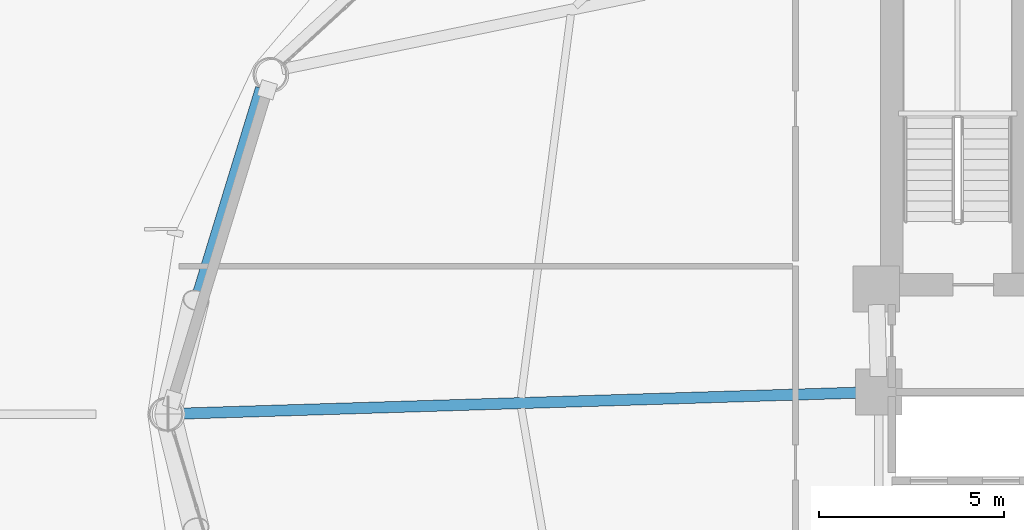
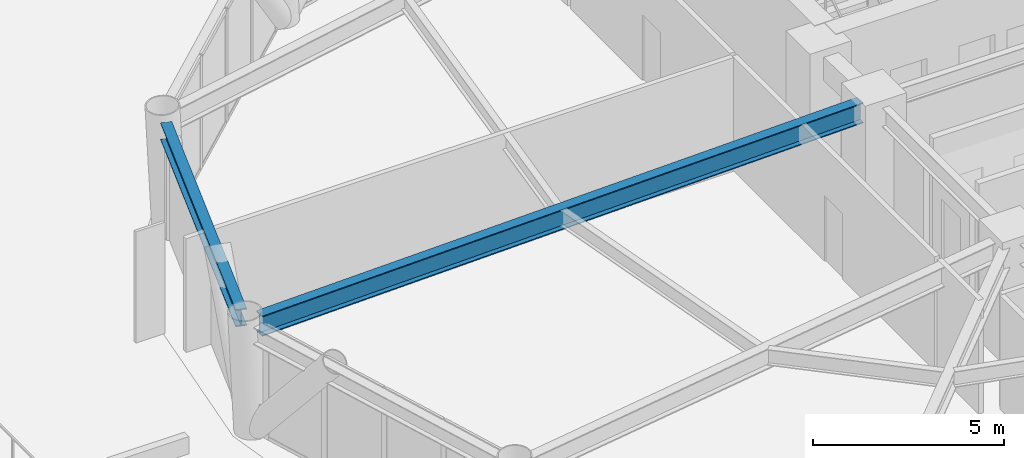
# One storey, part 8 of 24: 2 beams.
"""IFC4 building model written with IfcOpenShell, lengths in metres."""

from ifc_helpers import new_model, si_unit, direction, frame, origin, origin_2d, place, context, subcontext, project, spatial, i_section, extrude, material, material_profile, profile_set, type_object, element, save


model = new_model("IFC4")

# Units and contexts
model_context = context("Model", 3, precision=1e-05, world=origin(), true_north=direction((0.0, 1.0)))
body_context = subcontext(model_context, "Body", "Model", "MODEL_VIEW")
ifc_project = project(units=[si_unit("LENGTHUNIT", "METRE"), si_unit("AREAUNIT", "SQUARE_METRE"), si_unit("VOLUMEUNIT", "CUBIC_METRE"), si_unit("PLANEANGLEUNIT", "RADIAN"), si_unit("MASSUNIT", "GRAM", prefix="KILO")], contexts=[model_context])

# Site, building, storey
site_placement = place(None, origin())
site = spatial("IfcSite", under=ifc_project, at=site_placement, CompositionType="ELEMENT")
building_placement = place(site_placement, origin())
building = spatial("IfcBuilding", under=site, at=building_placement, Name="Varnakorn Sky Granary", CompositionType="ELEMENT")
storey_placement = place(building_placement, frame((0.0, 0.0, 27.60009765625)))
storey = spatial("IfcBuildingStorey", under=building, at=storey_placement, Name="L06", CompositionType="ELEMENT", Elevation=27.60009765625)

# Beams
ifc_material = material(Name="Steel S355JR", Category="steel")
ifc_material_profile_1 = material_profile(ifc_material, i_section(OverallWidth=0.300048828125, OverallDepth=0.64990234375, WebThickness=0.01611328125, FlangeThickness=0.031005859375, at=origin_2d()), Name="HE 650 B")
ifc_profile_set_1 = profile_set([ifc_material_profile_1], Name="Steel S355JR")
beam_type_1 = type_object("IfcBeamType", Name="BM-RAD-Z1", PredefinedType="BEAM", material=ifc_profile_set_1)
beam_1_placement = place(storey_placement, frame((-2.769775390625, 0.5869140625, 3.31494140625), z_axis=(-0.999521640891, -0.03092716268, 0.0), x_axis=(0.03092716268, -0.999521640891, 0.0)))
element("IfcBeam", 1, at=beam_1_placement, inside=storey, type_object=beam_type_1, Name="Radial Floor Girder RG07 L06", PredefinedType="BEAM", context=body_context, shape_type="SweptSolid", body=[
    extrude(i_section(OverallWidth=0.300048828125, OverallDepth=0.64990234375, WebThickness=0.01611328125, FlangeThickness=0.031005859375, at=origin_2d()), origin(), (0.0, 0.0, 1.0), 18.53515625),
])
ifc_material_profile_2 = material_profile(ifc_material, i_section(OverallWidth=0.300048828125, OverallDepth=0.550048828125, WebThickness=0.014892578125, FlangeThickness=0.029052734375, at=origin_2d()), Name="HE 550 B")
ifc_profile_set_2 = profile_set([ifc_material_profile_2], Name="Steel S355JR")
beam_type_2 = type_object("IfcBeamType", Name="BM-SPD-Z1", PredefinedType="SPANDREL", material=ifc_profile_set_2)
beam_2_placement = place(storey_placement, frame((-19.039306640625, 8.807861328125, 3.364990234375), z_axis=(-0.292941262757, -0.9561304391, 0.0), x_axis=(0.9561304391, -0.292941262757, 0.0)))
element("IfcBeam", 2, at=beam_2_placement, inside=storey, type_object=beam_type_2, Name="Perimeter Spandrel Ring Beam RB06 L06", PredefinedType="SPANDREL", context=body_context, shape_type="SweptSolid", body=[
    extrude(i_section(OverallWidth=0.300048828125, OverallDepth=0.550048828125, WebThickness=0.014892578125, FlangeThickness=0.029052734375, at=origin_2d()), origin(), (0.0, 0.0, 1.0), 8.77001953125),
])

save(model, "model.ifc")
